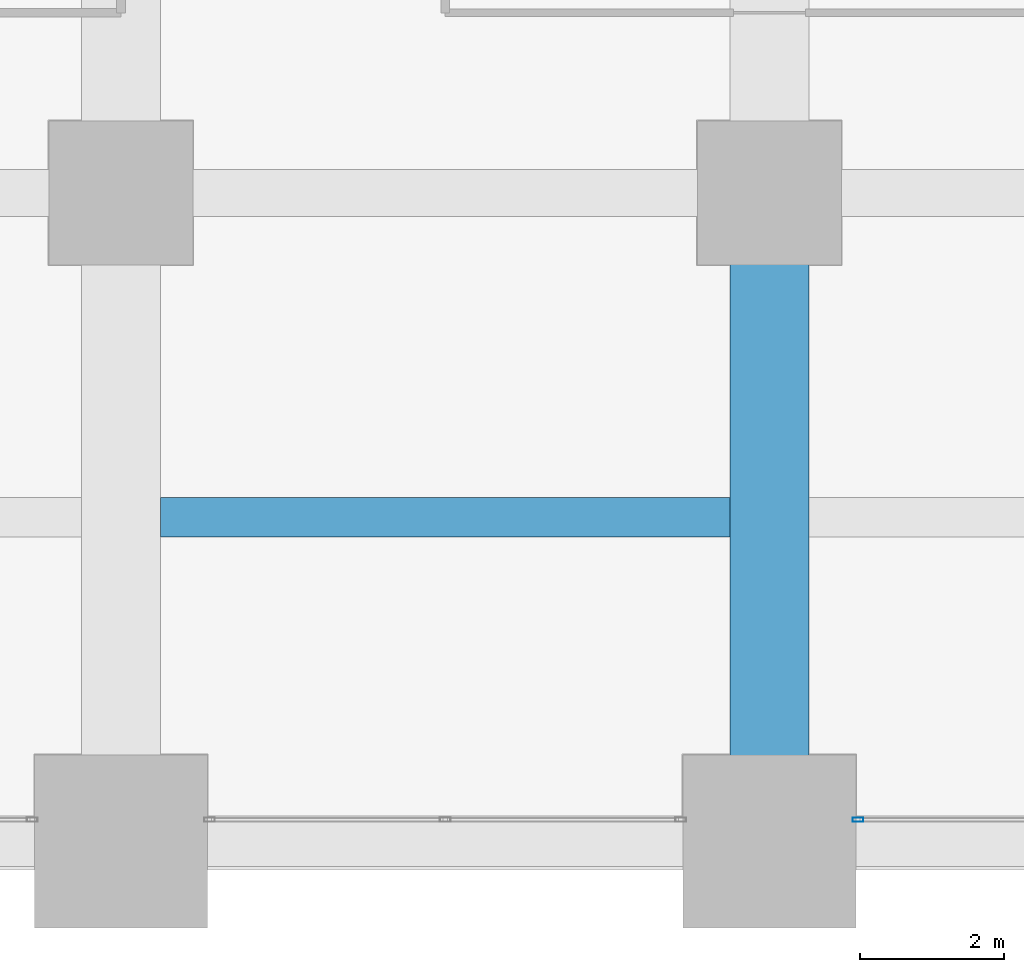
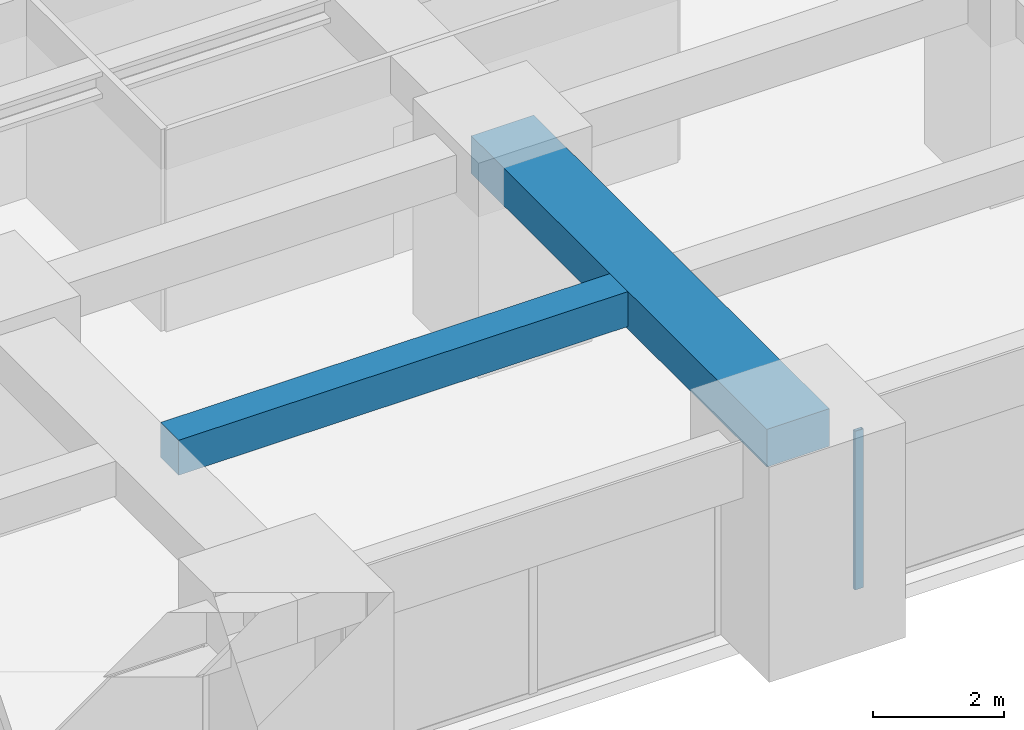
# One storey, part 14 of 41: 2 beams, 1 member, 1 element without a shape of its own.
"""IFC4 building model written with IfcOpenShell, lengths in metres."""

from ifc_helpers import new_model, si_unit, direction, frame, origin, origin_2d, place, context, subcontext, project, spatial, rectangle, hollow_rectangle, extrude, material, material_profile, profile_set, type_object, element, aggregate, save


model = new_model("IFC4")

# Units and contexts
model_context = context("Model", 3, precision=1e-05, world=origin(), true_north=direction((0.0, 1.0)))
body_context = subcontext(model_context, "Body", "Model", "MODEL_VIEW")
ifc_project = project(units=[si_unit("LENGTHUNIT", "METRE"), si_unit("AREAUNIT", "SQUARE_METRE"), si_unit("VOLUMEUNIT", "CUBIC_METRE"), si_unit("PLANEANGLEUNIT", "RADIAN"), si_unit("MASSUNIT", "GRAM", prefix="KILO")], contexts=[model_context])

# Site, building, storey
site_placement = place(None, origin())
site = spatial("IfcSite", under=ifc_project, at=site_placement, CompositionType="ELEMENT")
building_placement = place(site_placement, origin())
building = spatial("IfcBuilding", under=site, at=building_placement, Name="Zorevar Civic Tower", CompositionType="ELEMENT")
storey_placement = place(building_placement, frame((0.0, 0.0, 109.0)))
storey = spatial("IfcBuildingStorey", under=building, at=storey_placement, Name="L26", CompositionType="ELEMENT", Elevation=109.0)

# Beams
ifc_material_1 = material(Name="Concrete C50/60", Category="concrete")
ifc_material_profile_1 = material_profile(ifc_material_1, rectangle(XDim=1.10009765625, YDim=0.699951171875, at=origin_2d()), Name="RC 1100x700")
ifc_profile_set_1 = profile_set([ifc_material_profile_1], Name="Concrete C50/60")
beam_type_1 = type_object("IfcBeamType", Name="Beam RC 1100x700", PredefinedType="BEAM", material=ifc_profile_set_1)
beam_1_placement = place(storey_placement, frame((45.0, 0.0, 3.39990234375), z_axis=(0.0, 1.0, 0.0), x_axis=(-1.0, 0.0, 0.0)))
element("IfcBeam", 1, at=beam_1_placement, inside=storey, type_object=beam_type_1, Name="Girder L27", PredefinedType="BEAM", context=body_context, shape_type="SweptSolid", body=[
    extrude(rectangle(XDim=1.10009765625, YDim=0.699951171875, at=origin_2d()), origin(), (0.0, 0.0, 1.0), 9.0),
])
ifc_material_2 = material(Name="Concrete C50/60", Category="concrete")
ifc_material_profile_2 = material_profile(ifc_material_2, rectangle(XDim=0.550048828125, YDim=0.64990234375, at=origin_2d()), Name="RC 550x650")
ifc_profile_set_2 = profile_set([ifc_material_profile_2], Name="Concrete C50/60")
beam_type_2 = type_object("IfcBeamType", Name="Beam RC 550x650", PredefinedType="BEAM", material=ifc_profile_set_2)
beam_2_placement = place(storey_placement, frame((36.550048828125, 4.5, 3.425048828125), z_axis=(1.0, 0.0, 0.0), x_axis=(0.0, 1.0, 0.0)))
element("IfcBeam", 2, at=beam_2_placement, inside=storey, type_object=beam_type_2, Name="Secondary beam L27", PredefinedType="BEAM", context=body_context, shape_type="SweptSolid", body=[
    extrude(rectangle(XDim=0.550048828125, YDim=0.64990234375, at=origin_2d()), origin(), (0.0, 0.0, 1.0), 7.89990234375),
])

# Curtain wall, member
ifc_material_3 = material(Name="Dark grey solar-control glass in black aluminium frame", Category="aluminium")
curtain_wall_type = type_object("IfcCurtainWallType", Name="Curtain wall CW3 mid zone", PredefinedType="NOTDEFINED", material=ifc_material_3)
curtain_wall_placement = place(storey_placement, origin())
curtain_wall = element("IfcCurtainWall", 3, at=curtain_wall_placement, inside=storey, type_object=curtain_wall_type, Name="CW3 L26", PredefinedType="NOTDEFINED")
ifc_material_4 = material(Name="Aluminium, black anodised", Category="aluminium")
ifc_material_profile_3 = material_profile(ifc_material_4, hollow_rectangle(XDim=0.06005859375, YDim=0.14990234375, WallThickness=0.00390625, at=origin_2d()), Name="AL 150x60x4")
ifc_profile_set_3 = profile_set([ifc_material_profile_3], Name="Aluminium, black anodised")
member_type = type_object("IfcMemberType", Name="CW3 mullion AL 150x60x4", PredefinedType="MULLION", material=ifc_profile_set_3)
member_placement = place(storey_placement, frame((46.22998046875, 0.300048828125, 0.0), z_axis=(0.0, 0.0, 1.0), x_axis=(0.0, 1.0, 0.0)))
member = element("IfcMember", 4, at=member_placement, type_object=member_type, Name="CW3 mullion 1", PredefinedType="MULLION", context=body_context, shape_type="SweptSolid", body=[
    extrude(hollow_rectangle(XDim=0.06005859375, YDim=0.14990234375, WallThickness=0.00390625, at=origin_2d()), origin(), (0.0, 0.0, 1.0), 2.949951171875),
])
aggregate(curtain_wall, [member])

save(model, "model.ifc")
